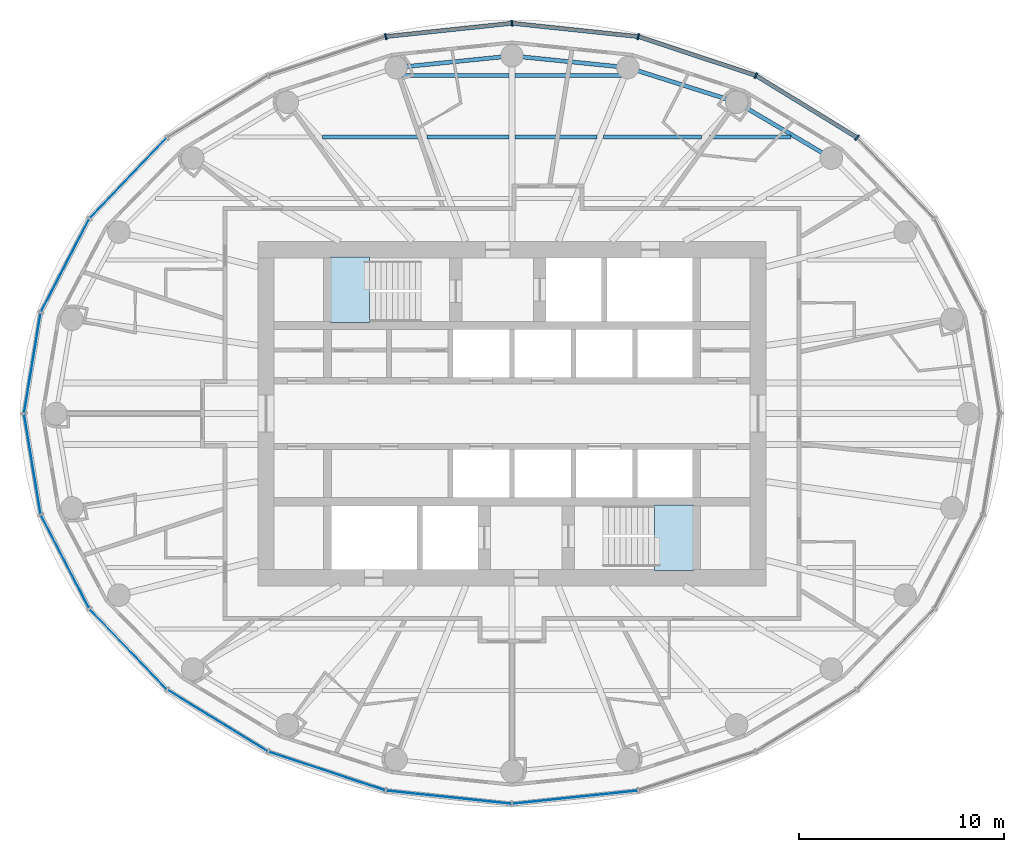
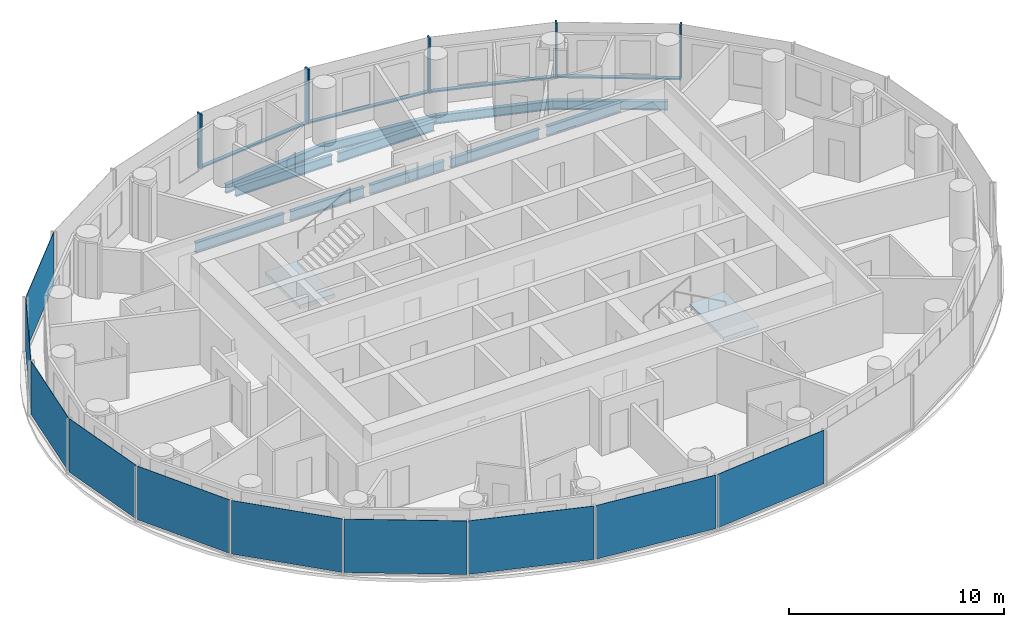
# One storey, part 4 of 13: 11 beams, 10 plates, 9 members, 2 slabs, 6 elements without a shape of their own.
"""IFC4 building model written with IfcOpenShell, lengths in metres."""

from ifc_helpers import new_model, si_unit, direction, frame, origin, origin_2d, place, context, subcontext, project, spatial, polyline, rectangle, i_section, outline, extrude, material, layer, layer_set, material_profile, profile_set, type_object, element, aggregate, save


model = new_model("IFC4")

# Units and contexts
model_context = context("Model", 3, precision=1e-05, world=origin(), true_north=direction((0.0, 1.0)))
body_context = subcontext(model_context, "Body", "Model", "MODEL_VIEW")
ifc_project = project(units=[si_unit("LENGTHUNIT", "METRE"), si_unit("AREAUNIT", "SQUARE_METRE"), si_unit("VOLUMEUNIT", "CUBIC_METRE"), si_unit("PLANEANGLEUNIT", "RADIAN"), si_unit("MASSUNIT", "GRAM", prefix="KILO")], contexts=[model_context])

# Site, building, storey
site_placement = place(None, origin())
site = spatial("IfcSite", under=ifc_project, at=site_placement, CompositionType="ELEMENT")
building_placement = place(site_placement, origin())
building = spatial("IfcBuilding", under=site, at=building_placement, Name="Hankou Lantern Tower", CompositionType="ELEMENT")
storey_placement = place(building_placement, frame((0.0, 0.0, 159.89990234375)))
storey = spatial("IfcBuildingStorey", under=building, at=storey_placement, Name="L42", CompositionType="ELEMENT", Elevation=159.89990234375)

# Beams
ifc_material_1 = material(Name="Steel Q355B", Category="steel")
ifc_material_profile_1 = material_profile(ifc_material_1, i_section(OverallWidth=0.199951171875, OverallDepth=0.5, WebThickness=0.010009765625, FlangeThickness=0.01611328125, FilletRadius=0.012939453125, at=origin_2d()), Name="HN500x200x10x16")
ifc_profile_set_1 = profile_set([ifc_material_profile_1], Name="Steel Q355B")
beam_type_1 = type_object("IfcBeamType", Name="EB5 RING BEAM HN500x200x10x16", PredefinedType="SPANDREL", material=ifc_profile_set_1)
beam_1_placement = place(storey_placement, frame((15.576171875, 12.4609375, -0.429931640625), z_axis=(-0.861135888339, 0.508374843806, 0.0), x_axis=(-0.508374843806, -0.861135888339, 0.0)))
element("IfcBeam", 1, at=beam_1_placement, inside=storey, type_object=beam_type_1, Name="Ring beam R04-R05 L42", PredefinedType="SPANDREL", context=body_context, shape_type="SweptSolid", body=[
    extrude(i_section(OverallWidth=0.199951171875, OverallDepth=0.5, WebThickness=0.010009765625, FlangeThickness=0.01611328125, FilletRadius=0.012939453125, at=origin_2d()), origin(), (0.0, 0.0, 1.0), 5.36083984375),
])
beam_2_placement = place(storey_placement, frame((10.959716796875, 15.186279296875, -0.429931640625), z_axis=(-0.952790404271, 0.30362879562, 0.0), x_axis=(-0.30362879562, -0.952790404271, 0.0)))
element("IfcBeam", 2, at=beam_2_placement, inside=storey, type_object=beam_type_1, Name="Ring beam R05-R06 L42", PredefinedType="SPANDREL", context=body_context, shape_type="SweptSolid", body=[
    extrude(i_section(OverallWidth=0.199951171875, OverallDepth=0.5, WebThickness=0.010009765625, FlangeThickness=0.01611328125, FilletRadius=0.012939453125, at=origin_2d()), origin(), (0.0, 0.0, 1.0), 5.56982421875),
])
for number, where, z_axis, x_axis, name in (
    (3, (5.65283203125, 16.87744140625, -0.429931640625), (-0.9949104636, 0.100762936734, 0.0), (-0.100762936734, -0.9949104636, 0.0), "Ring beam R06-R07 L42"),
    (4, (0.0, 17.449951171875, -0.429931640625), (-0.9949104636, -0.100762936734, 0.0), (0.100762936734, -0.9949104636, 0.0), "Ring beam R07-R08 L42"),
):
    element("IfcBeam", number, at=place(storey_placement, frame(where, z_axis=z_axis, x_axis=x_axis)), inside=storey, type_object=beam_type_1, Name=name, PredefinedType="SPANDREL", context=body_context, shape_type="SweptSolid", body=[
        extrude(i_section(OverallWidth=0.199951171875, OverallDepth=0.5, WebThickness=0.010009765625, FlangeThickness=0.01611328125, FilletRadius=0.012939453125, at=origin_2d()), origin(), (0.0, 0.0, 1.0), 5.681640625),
    ])

# Curtain wall, members
ifc_material_2 = material(Name="Glass, dark grey tinted laminated", Category="glass")
curtain_wall_type = type_object("IfcCurtainWallType", Name="CWC OUTER SKIN HIGH-RISE", PredefinedType="USERDEFINED", material=ifc_material_2)
curtain_wall_1_placement = place(storey_placement, origin())
curtain_wall_1 = element("IfcCurtainWall", 5, at=curtain_wall_1_placement, inside=storey, type_object=curtain_wall_type, Name="CWC L42 OS1", ObjectType="OUTER SKIN HIGH-RISE", PredefinedType="USERDEFINED")
ifc_material_3 = material(Name="Aluminium, black anodised", Category="aluminium")
ifc_material_profile_2 = material_profile(ifc_material_3, rectangle(XDim=0.080078125, YDim=0.300048828125, at=origin_2d()), Name="MU1 80X300")
ifc_profile_set_2 = profile_set([ifc_material_profile_2], Name="Aluminium, black anodised")
member_type_1 = type_object("IfcMemberType", Name="MU1 OUTER SKIN MULLION 80X300", PredefinedType="MULLION", material=ifc_profile_set_2)
member_1_placement = place(storey_placement, frame((16.8291015625, 13.46337890625, 0.0), z_axis=(0.0, 0.0, 1.0), x_axis=(-0.780868809444, 0.624695047553, 0.0)))
member_1 = element("IfcMember", 6, at=member_1_placement, type_object=member_type_1, Name="CWC mullion 4", PredefinedType="MULLION", context=body_context, shape_type="SweptSolid", body=[
    extrude(rectangle(XDim=0.080078125, YDim=0.300048828125, at=origin_2d()), origin(), (0.0, 0.0, 1.0), 3.1201171875),
])
member_2_placement = place(storey_placement, frame((11.89990234375, 16.489013671875, 0.0), z_axis=(0.0, 0.0, 1.0), x_axis=(-0.907841299004, 0.419313934686, 0.0)))
member_2 = element("IfcMember", 7, at=member_2_placement, type_object=member_type_1, Name="CWC mullion 5", PredefinedType="MULLION", context=body_context, shape_type="SweptSolid", body=[
    extrude(rectangle(XDim=0.080078125, YDim=0.300048828125, at=origin_2d()), origin(), (0.0, 0.0, 1.0), 3.1201171875),
])
member_3_placement = place(storey_placement, frame((6.159912109375, 18.39111328125, 0.0), z_axis=(0.0, 0.0, 1.0), x_axis=(-0.977787659625, 0.209597931016, 0.0)))
member_3 = element("IfcMember", 8, at=member_3_placement, type_object=member_type_1, Name="CWC mullion 6", PredefinedType="MULLION", context=body_context, shape_type="SweptSolid", body=[
    extrude(rectangle(XDim=0.080078125, YDim=0.300048828125, at=origin_2d()), origin(), (0.0, 0.0, 1.0), 3.1201171875),
])

curtain_wall_2_placement = place(storey_placement, origin())
curtain_wall_2 = element("IfcCurtainWall", 9, at=curtain_wall_2_placement, inside=storey, type_object=curtain_wall_type, Name="CWC L42 OS2", ObjectType="OUTER SKIN HIGH-RISE", PredefinedType="USERDEFINED")
member_4_placement = place(storey_placement, frame((0.0, 19.0400390625, 0.0), z_axis=(0.0, 0.0, 1.0), x_axis=(-0.994499359107, -0.104742659579, 0.0)))
member_4 = element("IfcMember", 10, at=member_4_placement, type_object=member_type_1, Name="CWC mullion 1", PredefinedType="MULLION", context=body_context, shape_type="SweptSolid", body=[
    extrude(rectangle(XDim=0.080078125, YDim=0.300048828125, at=origin_2d()), origin(), (0.0, 0.0, 1.0), 3.1201171875),
])
member_5_placement = place(storey_placement, frame((-6.159912109375, 18.39111328125, 0.0), z_axis=(0.0, 0.0, 1.0), x_axis=(-0.977787659625, -0.209597931016, 0.0)))
member_5 = element("IfcMember", 11, at=member_5_placement, type_object=member_type_1, Name="CWC mullion 2", PredefinedType="MULLION", context=body_context, shape_type="SweptSolid", body=[
    extrude(rectangle(XDim=0.080078125, YDim=0.300048828125, at=origin_2d()), origin(), (0.0, 0.0, 1.0), 3.1201171875),
])

# Beams
ifc_material_4 = material(Name="Steel Q355B", Category="steel")
ifc_material_profile_3 = material_profile(ifc_material_4, i_section(OverallWidth=0.199951171875, OverallDepth=0.550048828125, WebThickness=0.010009765625, FlangeThickness=0.01611328125, FilletRadius=0.012939453125, at=origin_2d()), Name="HN550x200x10x16")
ifc_profile_set_3 = profile_set([ifc_material_profile_3], Name="Steel Q355B")
beam_type_2 = type_object("IfcBeamType", Name="SB6 SECONDARY BEAM HN550x200x10x16", PredefinedType="JOIST", material=ifc_profile_set_3)
beam_3_placement = place(storey_placement, frame((-9.23974609375, 13.5, -0.454833984375), z_axis=(1.0, 0.0, 0.0), x_axis=(0.0, 1.0, 0.0)))
element("IfcBeam", 12, at=beam_3_placement, inside=storey, type_object=beam_type_2, Name="Floor joist J036 L42", PredefinedType="JOIST", context=body_context, shape_type="SweptSolid", body=[
    extrude(i_section(OverallWidth=0.199951171875, OverallDepth=0.550048828125, WebThickness=0.010009765625, FlangeThickness=0.01611328125, FilletRadius=0.012939453125, at=origin_2d()), origin(), (0.0, 0.0, 1.0), 4.780517578125),
])
for number, where, z_axis, x_axis, name in (
    (13, (-4.135986328125, 13.5, -0.454833984375), (1.0, 0.0, 0.0), (0.0, 1.0, 0.0), "Floor joist J037 L42"),
    (14, (0.14990234375, 13.5, -0.454833984375), (1.0, 0.0, 0.0), (0.0, 1.0, 0.0), "Floor joist J038 L42"),
):
    element("IfcBeam", number, at=place(storey_placement, frame(where, z_axis=z_axis, x_axis=x_axis)), inside=storey, type_object=beam_type_2, Name=name, PredefinedType="JOIST", context=body_context, shape_type="SweptSolid", body=[
        extrude(i_section(OverallWidth=0.199951171875, OverallDepth=0.550048828125, WebThickness=0.010009765625, FlangeThickness=0.01611328125, FilletRadius=0.012939453125, at=origin_2d()), origin(), (0.0, 0.0, 1.0), 3.986083984375),
    ])
beam_4_placement = place(storey_placement, frame((4.459228515625, 13.5, -0.454833984375), z_axis=(1.0, 0.0, 0.0), x_axis=(0.0, 1.0, 0.0)))
element("IfcBeam", 15, at=beam_4_placement, inside=storey, type_object=beam_type_2, Name="Floor joist J039 L42", PredefinedType="JOIST", context=body_context, shape_type="SweptSolid", body=[
    extrude(i_section(OverallWidth=0.199951171875, OverallDepth=0.550048828125, WebThickness=0.010009765625, FlangeThickness=0.01611328125, FilletRadius=0.012939453125, at=origin_2d()), origin(), (0.0, 0.0, 1.0), 4.780517578125),
])
beam_5_placement = place(storey_placement, frame((9.643310546875, 13.5, -0.454833984375), z_axis=(1.0, 0.0, 0.0), x_axis=(0.0, 1.0, 0.0)))
element("IfcBeam", 16, at=beam_5_placement, inside=storey, type_object=beam_type_2, Name="Floor joist J040 L42", PredefinedType="JOIST", context=body_context, shape_type="SweptSolid", body=[
    extrude(i_section(OverallWidth=0.199951171875, OverallDepth=0.550048828125, WebThickness=0.010009765625, FlangeThickness=0.01611328125, FilletRadius=0.012939453125, at=origin_2d()), origin(), (0.0, 0.0, 1.0), 3.97607421875),
])
for number, where, z_axis, x_axis, name in (
    (17, (-5.33984375, 16.5, -0.454833984375), (1.0, 0.0, 0.0), (0.0, 1.0, 0.0), "Floor joist J041 L42"),
    (18, (0.14990234375, 16.5, -0.454833984375), (1.0, 0.0, 0.0), (0.0, 1.0, 0.0), "Floor joist J042 L42"),
):
    element("IfcBeam", number, at=place(storey_placement, frame(where, z_axis=z_axis, x_axis=x_axis)), inside=storey, type_object=beam_type_2, Name=name, PredefinedType="JOIST", context=body_context, shape_type="SweptSolid", body=[
        extrude(i_section(OverallWidth=0.199951171875, OverallDepth=0.550048828125, WebThickness=0.010009765625, FlangeThickness=0.01611328125, FilletRadius=0.012939453125, at=origin_2d()), origin(), (0.0, 0.0, 1.0), 5.18994140625),
    ])

# Member
ifc_material_5 = material(Name="Aluminium, black anodised", Category="aluminium")
ifc_material_profile_4 = material_profile(ifc_material_5, rectangle(XDim=0.199951171875, YDim=0.080078125, at=origin_2d()), Name="TR1 200X80")
ifc_profile_set_4 = profile_set([ifc_material_profile_4], Name="Aluminium, black anodised")
member_type_2 = type_object("IfcMemberType", Name="TR1 OUTER SKIN TRANSOM 200X80", PredefinedType="USERDEFINED", material=ifc_profile_set_4)
member_6_placement = place(storey_placement, frame((16.795166015625, 13.484130859375, 0.0400390625), z_axis=(-0.852229482357, 0.523168146394, 0.0), x_axis=(-0.523168146394, -0.852229482357, 0.0)))
member_6 = element("IfcMember", 19, at=member_6_placement, type_object=member_type_2, Name="CWC transom 4", ObjectType="TRANSOM", PredefinedType="USERDEFINED", context=body_context, shape_type="SweptSolid", body=[
    extrude(rectangle(XDim=0.199951171875, YDim=0.080078125, at=origin_2d()), origin(), (0.0, 0.0, 1.0), 5.703857421875),
])

member_7_placement = place(storey_placement, frame((11.862060546875, 16.501708984375, 0.0400390625), z_axis=(-0.949242327551, 0.314545709849, 0.0), x_axis=(-0.314545709849, -0.949242327551, 0.0)))
member_7 = element("IfcMember", 20, at=member_7_placement, type_object=member_type_2, Name="CWC transom 5", ObjectType="TRANSOM", PredefinedType="USERDEFINED", context=body_context, shape_type="SweptSolid", body=[
    extrude(rectangle(XDim=0.199951171875, YDim=0.080078125, at=origin_2d()), origin(), (0.0, 0.0, 1.0), 5.96728515625),
])

member_8_placement = place(storey_placement, frame((6.1201171875, 18.3955078125, 0.0400390625), z_axis=(-0.994499543631, 0.104740907567, 0.0), x_axis=(-0.104740907567, -0.994499543631, 0.0)))
member_8 = element("IfcMember", 21, at=member_8_placement, type_object=member_type_2, Name="CWC transom 6", ObjectType="TRANSOM", PredefinedType="USERDEFINED", context=body_context, shape_type="SweptSolid", body=[
    extrude(rectangle(XDim=0.199951171875, YDim=0.080078125, at=origin_2d()), origin(), (0.0, 0.0, 1.0), 6.114013671875),
])

aggregate(curtain_wall_1, [member_1, member_2, member_3, member_6, member_7, member_8])

member_9_placement = place(storey_placement, frame((-0.039794921875, 19.035888671875, 0.0400390625), z_axis=(-0.994499543631, -0.104740907567, 0.0), x_axis=(0.104740907567, -0.994499543631, 0.0)))
member_9 = element("IfcMember", 22, at=member_9_placement, type_object=member_type_2, Name="CWC transom 1", ObjectType="TRANSOM", PredefinedType="USERDEFINED", context=body_context, shape_type="SweptSolid", body=[
    extrude(rectangle(XDim=0.199951171875, YDim=0.080078125, at=origin_2d()), origin(), (0.0, 0.0, 1.0), 6.114013671875),
])

# Plate
ifc_material_6 = material(Name="Glass, dark grey tinted laminated", Category="glass")
ifc_layer_1 = layer(ifc_material_6, 0.02392578125)
ifc_layer_set_1 = layer_set([ifc_layer_1], Name="Glass, dark grey tinted laminated")
plate_type = type_object("IfcPlateType", Name="PN1 OUTER SKIN GLASS PANEL", PredefinedType="CURTAIN_PANEL", material=ifc_layer_set_1)
plate_1_placement = place(storey_placement, frame((-18.72021484375, 11.49169921875, 0.080078125), z_axis=(0.0, 0.0, 1.0), x_axis=(-0.692215809936, -0.721690565599, 0.0)))
plate_1 = element("IfcPlate", 23, at=plate_1_placement, type_object=plate_type, Name="CWC glass panel 4", PredefinedType="CURTAIN_PANEL", context=body_context, shape_type="SweptSolid", body=[
    extrude(rectangle(XDim=5.384033203125, YDim=0.02392578125, at=origin_2d()), origin(), (0.0, 0.0, 1.0), 3.0400390625),
])

plate_2_placement = place(storey_placement, frame((-21.80029296875, 7.223876953125, 0.080078125), z_axis=(0.0, 0.0, 1.0), x_axis=(-0.459791091957, -0.888027112062, 0.0)))
plate_2 = element("IfcPlate", 24, at=plate_2_placement, type_object=plate_type, Name="CWC glass panel 5", PredefinedType="CURTAIN_PANEL", context=body_context, shape_type="SweptSolid", body=[
    extrude(rectangle(XDim=5.091064453125, YDim=0.02392578125, at=origin_2d()), origin(), (0.0, 0.0, 1.0), 3.0400390625),
])

plate_3_placement = place(storey_placement, frame((-23.39453125, 2.4638671875, 0.080078125), z_axis=(0.0, 0.0, 1.0), x_axis=(-0.162381515188, -0.986728049427, 0.0)))
plate_3 = element("IfcPlate", 25, at=plate_3_placement, type_object=plate_type, Name="CWC glass panel 6", PredefinedType="CURTAIN_PANEL", context=body_context, shape_type="SweptSolid", body=[
    extrude(rectangle(XDim=4.914306640625, YDim=0.02392578125, at=origin_2d()), origin(), (0.0, 0.0, 1.0), 3.0400390625),
])

aggregate(curtain_wall_2, [member_4, member_5, member_9, plate_1, plate_2, plate_3])

# Curtain wall, plates
curtain_wall_3_placement = place(storey_placement, origin())
curtain_wall_3 = element("IfcCurtainWall", 26, at=curtain_wall_3_placement, inside=storey, type_object=curtain_wall_type, Name="CWC L42 OS3", ObjectType="OUTER SKIN HIGH-RISE", PredefinedType="USERDEFINED")
plate_4_placement = place(storey_placement, frame((-23.39453125, -2.4638671875, 0.080078125), z_axis=(0.0, 0.0, 1.0), x_axis=(0.162381515188, -0.986728049427, 0.0)))
plate_4 = element("IfcPlate", 27, at=plate_4_placement, type_object=plate_type, Name="CWC glass panel 1", PredefinedType="CURTAIN_PANEL", context=body_context, shape_type="SweptSolid", body=[
    extrude(rectangle(XDim=4.914306640625, YDim=0.02392578125, at=origin_2d()), origin(), (0.0, 0.0, 1.0), 3.0400390625),
])
plate_5_placement = place(storey_placement, frame((-21.80029296875, -7.223876953125, 0.080078125), z_axis=(0.0, 0.0, 1.0), x_axis=(0.459791091957, -0.888027112062, 0.0)))
plate_5 = element("IfcPlate", 28, at=plate_5_placement, type_object=plate_type, Name="CWC glass panel 2", PredefinedType="CURTAIN_PANEL", context=body_context, shape_type="SweptSolid", body=[
    extrude(rectangle(XDim=5.091064453125, YDim=0.02392578125, at=origin_2d()), origin(), (0.0, 0.0, 1.0), 3.0400390625),
])
plate_6_placement = place(storey_placement, frame((-18.72021484375, -11.49169921875, 0.080078125), z_axis=(0.0, 0.0, 1.0), x_axis=(0.692215809936, -0.721690565599, 0.0)))
plate_6 = element("IfcPlate", 29, at=plate_6_placement, type_object=plate_type, Name="CWC glass panel 3", PredefinedType="CURTAIN_PANEL", context=body_context, shape_type="SweptSolid", body=[
    extrude(rectangle(XDim=5.384033203125, YDim=0.02392578125, at=origin_2d()), origin(), (0.0, 0.0, 1.0), 3.0400390625),
])
plate_7_placement = place(storey_placement, frame((-14.364501953125, -14.976318359375, 0.080078125), z_axis=(0.0, 0.0, 1.0), x_axis=(0.852237151549, -0.523155653242, 0.0)))
plate_7 = element("IfcPlate", 30, at=plate_7_placement, type_object=plate_type, Name="CWC glass panel 4", PredefinedType="CURTAIN_PANEL", context=body_context, shape_type="SweptSolid", body=[
    extrude(rectangle(XDim=5.703857421875, YDim=0.02392578125, at=origin_2d()), origin(), (0.0, 0.0, 1.0), 3.0400390625),
])
plate_8_placement = place(storey_placement, frame((-9.030029296875, -17.440185546875, 0.080078125), z_axis=(0.0, 0.0, 1.0), x_axis=(0.949240677293, -0.31455068999, 0.0)))
plate_8 = element("IfcPlate", 31, at=plate_8_placement, type_object=plate_type, Name="CWC glass panel 5", PredefinedType="CURTAIN_PANEL", context=body_context, shape_type="SweptSolid", body=[
    extrude(rectangle(XDim=5.967041015625, YDim=0.02392578125, at=origin_2d()), origin(), (0.0, 0.0, 1.0), 3.0400390625),
])
plate_9_placement = place(storey_placement, frame((-3.079833984375, -18.715576171875, 0.080078125), z_axis=(0.0, 0.0, 1.0), x_axis=(0.994499359107, -0.104742659579, 0.0)))
plate_9 = element("IfcPlate", 32, at=plate_9_placement, type_object=plate_type, Name="CWC glass panel 6", PredefinedType="CURTAIN_PANEL", context=body_context, shape_type="SweptSolid", body=[
    extrude(rectangle(XDim=6.114013671875, YDim=0.02392578125, at=origin_2d()), origin(), (0.0, 0.0, 1.0), 3.0400390625),
])
aggregate(curtain_wall_3, [plate_4, plate_5, plate_6, plate_7, plate_8, plate_9])

# Curtain wall, plate
curtain_wall_4_placement = place(storey_placement, origin())
curtain_wall_4 = element("IfcCurtainWall", 33, at=curtain_wall_4_placement, inside=storey, type_object=curtain_wall_type, Name="CWC L42 OS4", ObjectType="OUTER SKIN HIGH-RISE", PredefinedType="USERDEFINED")
plate_10_placement = place(storey_placement, frame((3.079833984375, -18.715576171875, 0.080078125), z_axis=(0.0, 0.0, 1.0), x_axis=(0.994499359107, 0.104742659579, 0.0)))
plate_10 = element("IfcPlate", 34, at=plate_10_placement, type_object=plate_type, Name="CWC glass panel 1", PredefinedType="CURTAIN_PANEL", context=body_context, shape_type="SweptSolid", body=[
    extrude(rectangle(XDim=6.114013671875, YDim=0.02392578125, at=origin_2d()), origin(), (0.0, 0.0, 1.0), 3.0400390625),
])
aggregate(curtain_wall_4, [plate_10])

# Stair, slab
ifc_material_7 = material(Name="Concrete C40", Category="concrete")
stair_type = type_object("IfcStairType", Name="ST33 CORE STAIR 3300 RISE", PredefinedType="HALF_TURN_STAIR", material=ifc_material_7)
stair_1_placement = place(storey_placement, origin())
stair_1 = element("IfcStair", 35, at=stair_1_placement, inside=storey, type_object=stair_type, Name="Stair STA L42", PredefinedType="HALF_TURN_STAIR")
ifc_material_8 = material(Name="Concrete C40", Category="concrete")
ifc_layer_2 = layer(ifc_material_8, 0.199951171875)
ifc_layer_set_2 = layer_set([ifc_layer_2], Name="Concrete C40")
slab_type = type_object("IfcSlabType", Name="SL1 STAIR LANDING 200", PredefinedType="LANDING", material=ifc_layer_set_2)
slab_1_placement = place(storey_placement, frame((0.0, 0.0, 1.37158203125)))
slab_1 = element("IfcSlab", 36, at=slab_1_placement, type_object=slab_type, Name="STA landing 1", PredefinedType="LANDING", context=body_context, shape_type="SweptSolid", body=[
    extrude(outline(polyline([(-8.85009765625, 4.449951171875), (-6.949951171875, 4.449951171875), (-6.949951171875, 7.64990234375), (-8.85009765625, 7.64990234375), (-8.85009765625, 4.449951171875)])), origin(), (0.0, 0.0, 1.0), 0.199951171875),
])
aggregate(stair_1, [slab_1])

stair_2_placement = place(storey_placement, origin())
stair_2 = element("IfcStair", 37, at=stair_2_placement, inside=storey, type_object=stair_type, Name="Stair STB L42", PredefinedType="HALF_TURN_STAIR")
slab_2_placement = place(storey_placement, frame((0.0, 0.0, 1.37158203125)))
slab_2 = element("IfcSlab", 38, at=slab_2_placement, type_object=slab_type, Name="STB landing 1", PredefinedType="LANDING", context=body_context, shape_type="SweptSolid", body=[
    extrude(outline(polyline([(8.85009765625, -4.449951171875), (6.949951171875, -4.449951171875), (6.949951171875, -7.64990234375), (8.85009765625, -7.64990234375), (8.85009765625, -4.449951171875)])), origin(), (0.0, 0.0, 1.0), 0.199951171875),
])
aggregate(stair_2, [slab_2])

save(model, "model.ifc")
